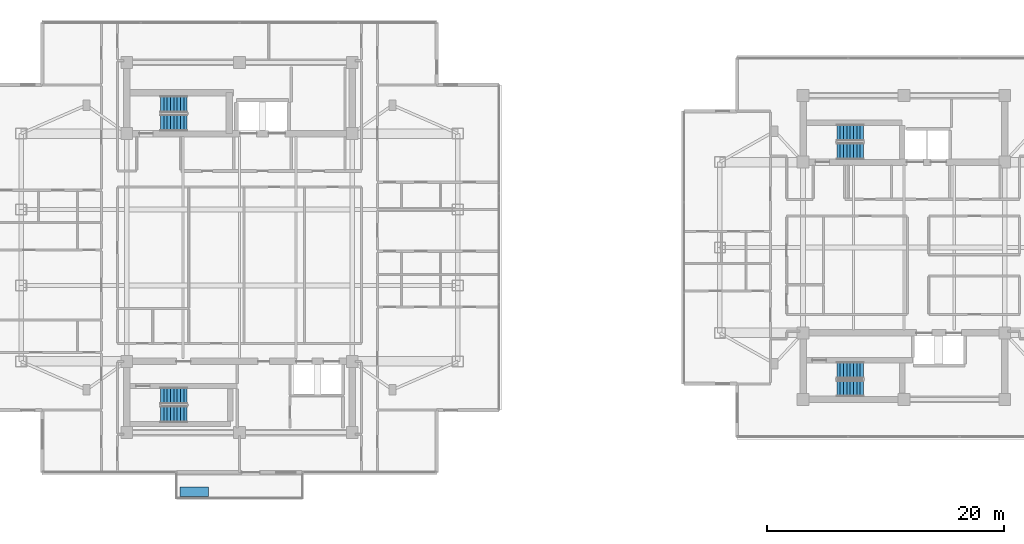
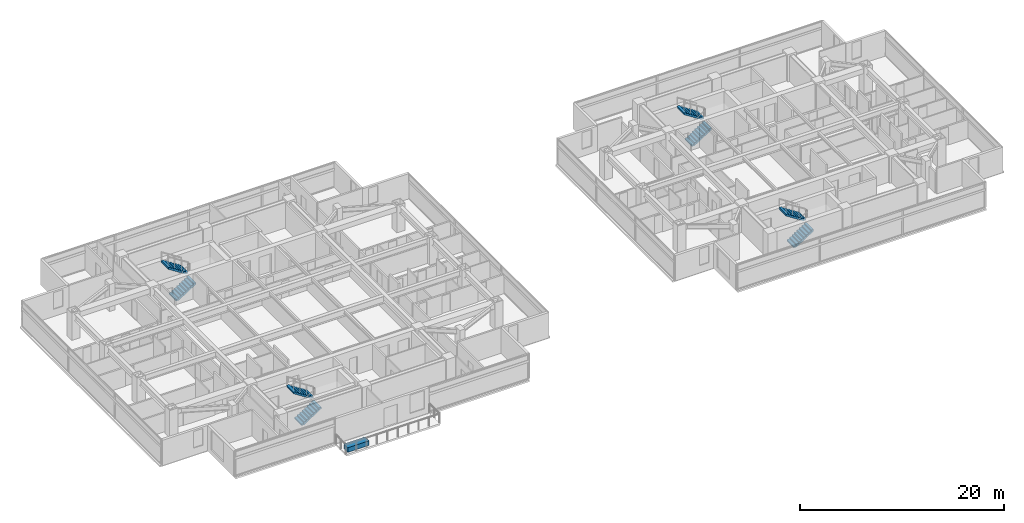
# One storey, part 19 of 25: 8 stair flights, 1 discrete accessory, 4 elements without a shape of their own.
"""IFC4 building model written with IfcOpenShell, lengths in metres."""

from ifc_helpers import new_model, si_unit, direction, frame, origin, origin_2d, place, context, subcontext, project, spatial, polyline, rectangle, outline, extrude, material, type_object, element, aggregate, save


model = new_model("IFC4")

# Units and contexts
model_context = context("Model", 3, precision=1e-05, world=origin(), true_north=direction((0.0, 1.0)))
body_context = subcontext(model_context, "Body", "Model", "MODEL_VIEW")
ifc_project = project(units=[si_unit("LENGTHUNIT", "METRE"), si_unit("AREAUNIT", "SQUARE_METRE"), si_unit("VOLUMEUNIT", "CUBIC_METRE"), si_unit("PLANEANGLEUNIT", "RADIAN"), si_unit("MASSUNIT", "GRAM", prefix="KILO")], contexts=[model_context])

# Site, building, storey
site_placement = place(None, origin())
site = spatial("IfcSite", under=ifc_project, at=site_placement, CompositionType="ELEMENT")
building_placement = place(site_placement, origin())
building = spatial("IfcBuilding", under=site, at=building_placement, Name="Mirazonda Arch Towers", CompositionType="ELEMENT")
storey_placement = place(building_placement, frame((0.0, 0.0, 180.39990234375)))
storey = spatial("IfcBuildingStorey", under=building, at=storey_placement, Name="L51", CompositionType="ELEMENT", Elevation=180.39990234375)

# Stair, stair flights
ifc_material_1 = material(Name="Concrete C40/50", Category="concrete")
stair_type = type_object("IfcStairType", Name="STAIR-CORE-1400", PredefinedType="HALF_TURN_STAIR", material=ifc_material_1)
stair_1_placement = place(storey_placement, origin())
stair_1 = element("IfcStair", 1, at=stair_1_placement, inside=storey, type_object=stair_type, Name="L51 Protected Exit Stair ST-T1N", PredefinedType="HALF_TURN_STAIR")
stair_flight_type = type_object("IfcStairFlightType", Name="FLIGHT-1400", PredefinedType="STRAIGHT", material=ifc_material_1)
stair_flight_1_placement = place(storey_placement, frame((13.85009765625, 38.52001953125, 0.0), z_axis=(0.0, 0.0, 1.0), x_axis=(1.0, 0.0, 0.0)))
stair_flight_1 = element("IfcStairFlight", 2, at=stair_flight_1_placement, type_object=stair_flight_type, Name="ST-T1N flight 1", NumberOfRisers=9, NumberOfTreads=8, PredefinedType="STRAIGHT", RiserHeight=0.180555556, TreadLength=0.28, context=body_context, shape_type="SweptSolid", body=[
    extrude(outline(polyline([(0.0, 0.0), (0.0, 0.1806640625), (0.280029296875, 0.1806640625), (0.280029296875, 0.361083984375), (0.56005859375, 0.361083984375), (0.56005859375, 0.541748046875), (0.840087890625, 0.541748046875), (0.840087890625, 0.72216796875), (1.1201171875, 0.72216796875), (1.1201171875, 0.90283203125), (1.39990234375, 0.90283203125), (1.39990234375, 1.083251953125), (1.679931640625, 1.083251953125), (1.679931640625, 1.263916015625), (1.9599609375, 1.263916015625), (1.9599609375, 1.4443359375), (2.239990234375, 1.4443359375), (2.239990234375, 1.625), (2.239990234375, 1.254150390625), (0.295166015625, 0.0), (0.0, 0.0)])), frame((0.0, 0.699951171875, 0.0), z_axis=(0.0, -1.0, 0.0), x_axis=(1.0, 0.0, 0.0)), (0.0, 0.0, 1.0), 1.39990234375),
])
stair_flight_2_placement = place(storey_placement, frame((16.090087890625, 40.06005859375, 1.625), z_axis=(0.0, 0.0, 1.0), x_axis=(-1.0, 0.0, 0.0)))
stair_flight_2 = element("IfcStairFlight", 3, at=stair_flight_2_placement, type_object=stair_flight_type, Name="ST-T1N flight 2", NumberOfRisers=9, NumberOfTreads=8, PredefinedType="STRAIGHT", RiserHeight=0.180555556, TreadLength=0.28, context=body_context, shape_type="SweptSolid", body=[
    extrude(outline(polyline([(0.0, 0.0), (0.0, 0.1806640625), (0.280029296875, 0.1806640625), (0.280029296875, 0.361083984375), (0.56005859375, 0.361083984375), (0.56005859375, 0.541748046875), (0.840087890625, 0.541748046875), (0.840087890625, 0.72216796875), (1.1201171875, 0.72216796875), (1.1201171875, 0.90283203125), (1.39990234375, 0.90283203125), (1.39990234375, 1.083251953125), (1.679931640625, 1.083251953125), (1.679931640625, 1.263916015625), (1.9599609375, 1.263916015625), (1.9599609375, 1.4443359375), (2.239990234375, 1.4443359375), (2.239990234375, 1.625), (2.239990234375, 1.254150390625), (0.295166015625, 0.0), (0.0, 0.0)])), frame((0.0, 0.699951171875, 0.0), z_axis=(0.0, -1.0, 0.0), x_axis=(1.0, 0.0, 0.0)), (0.0, 0.0, 1.0), 1.39990234375),
])
aggregate(stair_1, [stair_flight_1, stair_flight_2])

stair_2_placement = place(storey_placement, origin())
stair_2 = element("IfcStair", 4, at=stair_2_placement, inside=storey, type_object=stair_type, Name="L51 Protected Exit Stair ST-T1S", PredefinedType="HALF_TURN_STAIR")
stair_flight_3_placement = place(storey_placement, frame((13.85009765625, 13.949951171875, 0.0), z_axis=(0.0, 0.0, 1.0), x_axis=(1.0, 0.0, 0.0)))
stair_flight_3 = element("IfcStairFlight", 5, at=stair_flight_3_placement, type_object=stair_flight_type, Name="ST-T1S flight 1", NumberOfRisers=9, NumberOfTreads=8, PredefinedType="STRAIGHT", RiserHeight=0.180555556, TreadLength=0.28, context=body_context, shape_type="SweptSolid", body=[
    extrude(outline(polyline([(0.0, 0.0), (0.0, 0.1806640625), (0.280029296875, 0.1806640625), (0.280029296875, 0.361083984375), (0.56005859375, 0.361083984375), (0.56005859375, 0.541748046875), (0.840087890625, 0.541748046875), (0.840087890625, 0.72216796875), (1.1201171875, 0.72216796875), (1.1201171875, 0.90283203125), (1.39990234375, 0.90283203125), (1.39990234375, 1.083251953125), (1.679931640625, 1.083251953125), (1.679931640625, 1.263916015625), (1.9599609375, 1.263916015625), (1.9599609375, 1.4443359375), (2.239990234375, 1.4443359375), (2.239990234375, 1.625), (2.239990234375, 1.254150390625), (0.295166015625, 0.0), (0.0, 0.0)])), frame((0.0, 0.699951171875, 0.0), z_axis=(0.0, -1.0, 0.0), x_axis=(1.0, 0.0, 0.0)), (0.0, 0.0, 1.0), 1.39990234375),
])
stair_flight_4_placement = place(storey_placement, frame((16.090087890625, 15.489990234375, 1.625), z_axis=(0.0, 0.0, 1.0), x_axis=(-1.0, 0.0, 0.0)))
stair_flight_4 = element("IfcStairFlight", 6, at=stair_flight_4_placement, type_object=stair_flight_type, Name="ST-T1S flight 2", NumberOfRisers=9, NumberOfTreads=8, PredefinedType="STRAIGHT", RiserHeight=0.180555556, TreadLength=0.28, context=body_context, shape_type="SweptSolid", body=[
    extrude(outline(polyline([(0.0, 0.0), (0.0, 0.1806640625), (0.280029296875, 0.1806640625), (0.280029296875, 0.361083984375), (0.56005859375, 0.361083984375), (0.56005859375, 0.541748046875), (0.840087890625, 0.541748046875), (0.840087890625, 0.72216796875), (1.1201171875, 0.72216796875), (1.1201171875, 0.90283203125), (1.39990234375, 0.90283203125), (1.39990234375, 1.083251953125), (1.679931640625, 1.083251953125), (1.679931640625, 1.263916015625), (1.9599609375, 1.263916015625), (1.9599609375, 1.4443359375), (2.239990234375, 1.4443359375), (2.239990234375, 1.625), (2.239990234375, 1.254150390625), (0.295166015625, 0.0), (0.0, 0.0)])), frame((0.0, 0.699951171875, 0.0), z_axis=(0.0, -1.0, 0.0), x_axis=(1.0, 0.0, 0.0)), (0.0, 0.0, 1.0), 1.39990234375),
])
aggregate(stair_2, [stair_flight_3, stair_flight_4])

stair_3_placement = place(storey_placement, origin())
stair_3 = element("IfcStair", 7, at=stair_3_placement, inside=storey, type_object=stair_type, Name="L51 Protected Exit Stair ST-T2N", PredefinedType="HALF_TURN_STAIR")
stair_flight_5_placement = place(storey_placement, frame((70.85009765625, 36.1201171875, 0.0), z_axis=(0.0, 0.0, 1.0), x_axis=(1.0, 0.0, 0.0)))
stair_flight_5 = element("IfcStairFlight", 8, at=stair_flight_5_placement, type_object=stair_flight_type, Name="ST-T2N flight 1", NumberOfRisers=9, NumberOfTreads=8, PredefinedType="STRAIGHT", RiserHeight=0.180555556, TreadLength=0.28, context=body_context, shape_type="SweptSolid", body=[
    extrude(outline(polyline([(0.0, 0.0), (0.0, 0.1806640625), (0.280029296875, 0.1806640625), (0.280029296875, 0.361083984375), (0.56005859375, 0.361083984375), (0.56005859375, 0.541748046875), (0.840087890625, 0.541748046875), (0.840087890625, 0.72216796875), (1.1201171875, 0.72216796875), (1.1201171875, 0.90283203125), (1.39990234375, 0.90283203125), (1.39990234375, 1.083251953125), (1.679931640625, 1.083251953125), (1.679931640625, 1.263916015625), (1.9599609375, 1.263916015625), (1.9599609375, 1.4443359375), (2.239990234375, 1.4443359375), (2.239990234375, 1.625), (2.239990234375, 1.254150390625), (0.295166015625, 0.0), (0.0, 0.0)])), frame((0.0, 0.699951171875, 0.0), z_axis=(0.0, -1.0, 0.0), x_axis=(1.0, 0.0, 0.0)), (0.0, 0.0, 1.0), 1.39990234375),
])
stair_flight_6_placement = place(storey_placement, frame((73.090087890625, 37.659912109375, 1.625), z_axis=(0.0, 0.0, 1.0), x_axis=(-1.0, 0.0, 0.0)))
stair_flight_6 = element("IfcStairFlight", 9, at=stair_flight_6_placement, type_object=stair_flight_type, Name="ST-T2N flight 2", NumberOfRisers=9, NumberOfTreads=8, PredefinedType="STRAIGHT", RiserHeight=0.180555556, TreadLength=0.28, context=body_context, shape_type="SweptSolid", body=[
    extrude(outline(polyline([(0.0, 0.0), (0.0, 0.1806640625), (0.280029296875, 0.1806640625), (0.280029296875, 0.361083984375), (0.56005859375, 0.361083984375), (0.56005859375, 0.541748046875), (0.840087890625, 0.541748046875), (0.840087890625, 0.72216796875), (1.1201171875, 0.72216796875), (1.1201171875, 0.90283203125), (1.39990234375, 0.90283203125), (1.39990234375, 1.083251953125), (1.679931640625, 1.083251953125), (1.679931640625, 1.263916015625), (1.9599609375, 1.263916015625), (1.9599609375, 1.4443359375), (2.239990234375, 1.4443359375), (2.239990234375, 1.625), (2.239990234375, 1.254150390625), (0.295166015625, 0.0), (0.0, 0.0)])), frame((0.0, 0.699951171875, 0.0), z_axis=(0.0, -1.0, 0.0), x_axis=(1.0, 0.0, 0.0)), (0.0, 0.0, 1.0), 1.39990234375),
])
aggregate(stair_3, [stair_flight_5, stair_flight_6])

stair_4_placement = place(storey_placement, origin())
stair_4 = element("IfcStair", 10, at=stair_4_placement, inside=storey, type_object=stair_type, Name="L51 Protected Exit Stair ST-T2S", PredefinedType="HALF_TURN_STAIR")
stair_flight_7_placement = place(storey_placement, frame((70.85009765625, 16.1201171875, 0.0), z_axis=(0.0, 0.0, 1.0), x_axis=(1.0, 0.0, 0.0)))
stair_flight_7 = element("IfcStairFlight", 11, at=stair_flight_7_placement, type_object=stair_flight_type, Name="ST-T2S flight 1", NumberOfRisers=9, NumberOfTreads=8, PredefinedType="STRAIGHT", RiserHeight=0.180555556, TreadLength=0.28, context=body_context, shape_type="SweptSolid", body=[
    extrude(outline(polyline([(0.0, 0.0), (0.0, 0.1806640625), (0.280029296875, 0.1806640625), (0.280029296875, 0.361083984375), (0.56005859375, 0.361083984375), (0.56005859375, 0.541748046875), (0.840087890625, 0.541748046875), (0.840087890625, 0.72216796875), (1.1201171875, 0.72216796875), (1.1201171875, 0.90283203125), (1.39990234375, 0.90283203125), (1.39990234375, 1.083251953125), (1.679931640625, 1.083251953125), (1.679931640625, 1.263916015625), (1.9599609375, 1.263916015625), (1.9599609375, 1.4443359375), (2.239990234375, 1.4443359375), (2.239990234375, 1.625), (2.239990234375, 1.254150390625), (0.295166015625, 0.0), (0.0, 0.0)])), frame((0.0, 0.699951171875, 0.0), z_axis=(0.0, -1.0, 0.0), x_axis=(1.0, 0.0, 0.0)), (0.0, 0.0, 1.0), 1.39990234375),
])
stair_flight_8_placement = place(storey_placement, frame((73.090087890625, 17.659912109375, 1.625), z_axis=(0.0, 0.0, 1.0), x_axis=(-1.0, 0.0, 0.0)))
stair_flight_8 = element("IfcStairFlight", 12, at=stair_flight_8_placement, type_object=stair_flight_type, Name="ST-T2S flight 2", NumberOfRisers=9, NumberOfTreads=8, PredefinedType="STRAIGHT", RiserHeight=0.180555556, TreadLength=0.28, context=body_context, shape_type="SweptSolid", body=[
    extrude(outline(polyline([(0.0, 0.0), (0.0, 0.1806640625), (0.280029296875, 0.1806640625), (0.280029296875, 0.361083984375), (0.56005859375, 0.361083984375), (0.56005859375, 0.541748046875), (0.840087890625, 0.541748046875), (0.840087890625, 0.72216796875), (1.1201171875, 0.72216796875), (1.1201171875, 0.90283203125), (1.39990234375, 0.90283203125), (1.39990234375, 1.083251953125), (1.679931640625, 1.083251953125), (1.679931640625, 1.263916015625), (1.9599609375, 1.263916015625), (1.9599609375, 1.4443359375), (2.239990234375, 1.4443359375), (2.239990234375, 1.625), (2.239990234375, 1.254150390625), (0.295166015625, 0.0), (0.0, 0.0)])), frame((0.0, 0.699951171875, 0.0), z_axis=(0.0, -1.0, 0.0), x_axis=(1.0, 0.0, 0.0)), (0.0, 0.0, 1.0), 1.39990234375),
])
aggregate(stair_4, [stair_flight_7, stair_flight_8])

# Discrete accessory
ifc_material_2 = material(Name="Kiln-Fired Architectural Terracotta", Category="masonry")
discrete_accessory_type = type_object("IfcDiscreteAccessoryType", Name="PLANTER-TERRA", PredefinedType="USERDEFINED", material=ifc_material_2)
discrete_accessory_placement = place(storey_placement, frame((16.699951171875, 7.426025390625, 0.0), z_axis=(0.0, 0.0, 1.0), x_axis=(1.0, 0.0, 0.0)))
element("IfcDiscreteAccessory", 13, at=discrete_accessory_placement, inside=storey, type_object=discrete_accessory_type, Name="L51 T1 Sky-Terrace Planter", ObjectType="PLANTER", PredefinedType="USERDEFINED", context=body_context, shape_type="SweptSolid", body=[
    extrude(rectangle(XDim=2.39990234375, YDim=0.800048828125, at=origin_2d()), origin(), (0.0, 0.0, 1.0), 0.550048828125),
])

save(model, "model.ifc")
